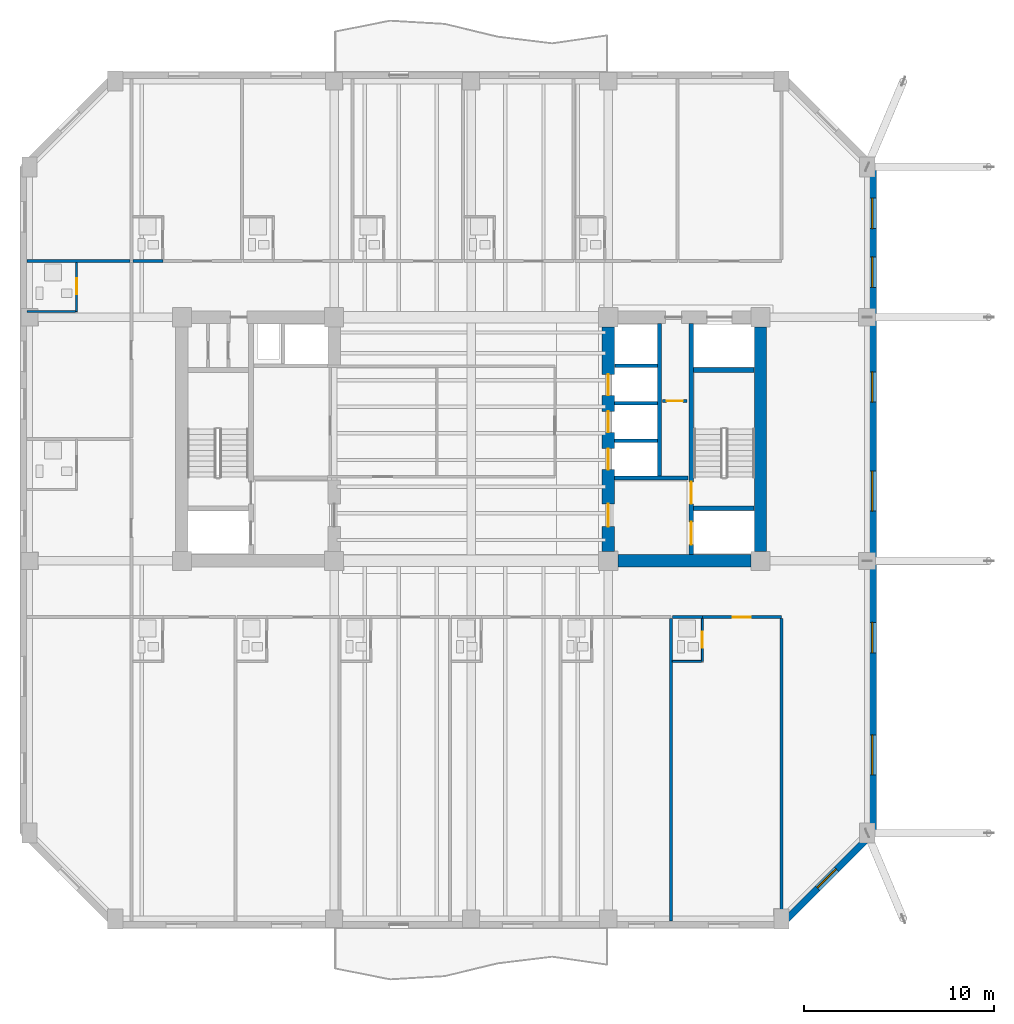
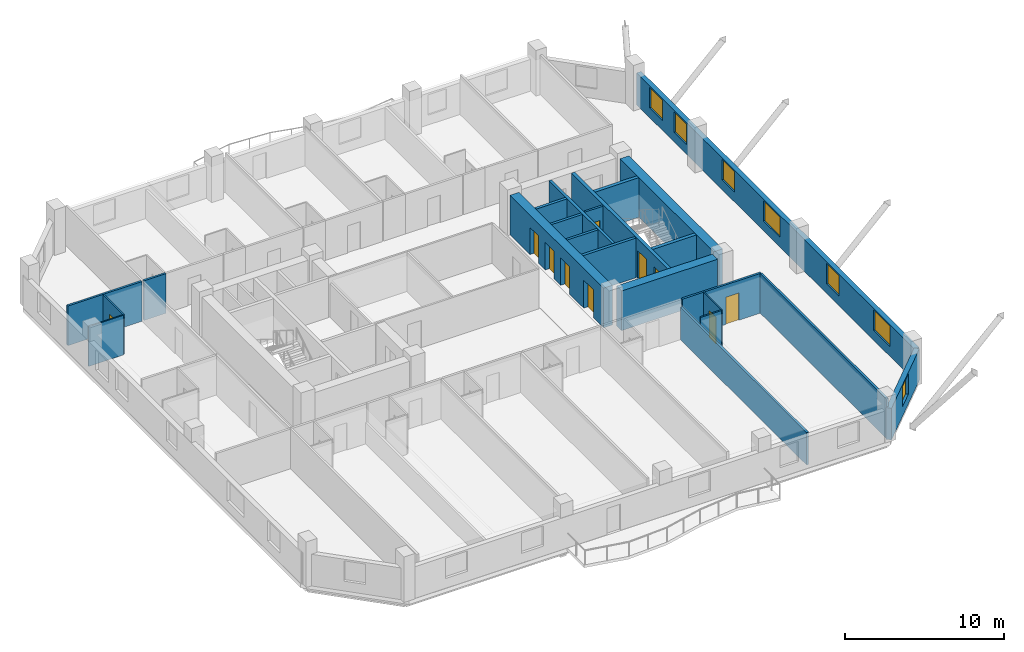
# One storey, part 7 of 14: 24 walls, 10 doors, 7 windows, 17 openings.
"""IFC4 building model written with IfcOpenShell, lengths in metres."""

from ifc_helpers import new_model, si_unit, direction, frame, frame_2d, origin, place, context, subcontext, project, spatial, rectangle, extrude, material, layer, layer_set, type_object, element, fill, save


model = new_model("IFC4")

# Units and contexts
model_context = context("Model", 3, precision=1e-05, world=origin(), true_north=direction((0.0, 1.0)))
body_context = subcontext(model_context, "Body", "Model", "MODEL_VIEW")
ifc_project = project(units=[si_unit("LENGTHUNIT", "METRE"), si_unit("AREAUNIT", "SQUARE_METRE"), si_unit("VOLUMEUNIT", "CUBIC_METRE"), si_unit("PLANEANGLEUNIT", "RADIAN"), si_unit("MASSUNIT", "GRAM", prefix="KILO")], contexts=[model_context])

# Site, building, storey
site_placement = place(None, origin())
site = spatial("IfcSite", under=ifc_project, at=site_placement, CompositionType="ELEMENT")
building_placement = place(site_placement, origin())
building = spatial("IfcBuilding", under=site, at=building_placement, Name="Kranthara Brick Stack", CompositionType="ELEMENT")
storey_placement = place(building_placement, frame((0.0, 0.0, 137.800048828125)))
storey = spatial("IfcBuildingStorey", under=building, at=storey_placement, Name="L34", CompositionType="ELEMENT", Elevation=137.800048828125)

# Wall, openings, windows
ifc_material_1 = material(Name="Kiln-fired clay brick masonry M15", Category="masonry")
ifc_layer_1 = layer(ifc_material_1, 0.35009765625)
ifc_layer_set_1 = layer_set([ifc_layer_1], Name="Kiln-fired clay brick masonry M15")
wall_type_1 = type_object("IfcWallType", Name="WL-BRK-SPND-350", PredefinedType="STANDARD", material=ifc_layer_set_1)
wall_1_placement = place(storey_placement, frame((49.10498046875, 41.5, 0.0), z_axis=(0.0, 0.0, 1.0), x_axis=(0.0, -1.0, 0.0)))
wall_1 = element("IfcWall", 1, at=wall_1_placement, inside=storey, type_object=wall_type_1, Name="L34 Exterior Brick Facade Wall EAST 1", PredefinedType="STANDARD", context=body_context, shape_type="SweptSolid", body=[
    extrude(rectangle(XDim=35.0, YDim=0.35009765625, at=frame_2d((17.5, 0.0))), origin(), (0.0, 0.0, 1.0), 2.43505859375),
])
opening_1_placement = place(wall_1_placement, frame((1.64501953125, 0.0, 0.75)))
opening_1 = element("IfcOpeningElement", 2, at=opening_1_placement, cuts=wall_1, Name="Opening WN04", PredefinedType="OPENING", context=body_context, shape_type="SweptSolid", body=[
    extrude(rectangle(XDim=1.60009765625, YDim=1.56494140625, at=frame_2d((0.800048828125, 0.782470703125))), frame((0.0, 0.18505859375, 0.0), z_axis=(0.0, -1.0, 0.0), x_axis=(1.0, 0.0, 0.0)), (0.0, 0.0, 1.0), 0.3701171875),
])
opening_2_placement = place(wall_1_placement, frame((4.72900390625, 0.0, 0.75)))
opening_2 = element("IfcOpeningElement", 3, at=opening_2_placement, cuts=wall_1, Name="Opening WN04", PredefinedType="OPENING", context=body_context, shape_type="SweptSolid", body=[
    extrude(rectangle(XDim=1.60009765625, YDim=1.56494140625, at=frame_2d((0.800048828125, 0.782470703125))), frame((0.0, 0.18505859375, 0.0), z_axis=(0.0, -1.0, 0.0), x_axis=(1.0, 0.0, 0.0)), (0.0, 0.0, 1.0), 0.3701171875),
])
opening_3_placement = place(wall_1_placement, frame((10.763916015625, 0.0, 0.75)))
opening_3 = element("IfcOpeningElement", 4, at=opening_3_placement, cuts=wall_1, Name="Opening WN04", PredefinedType="OPENING", context=body_context, shape_type="SweptSolid", body=[
    extrude(rectangle(XDim=1.60009765625, YDim=1.56494140625, at=frame_2d((0.800048828125, 0.782470703125))), frame((0.0, 0.18505859375, 0.0), z_axis=(0.0, -1.0, 0.0), x_axis=(1.0, 0.0, 0.0)), (0.0, 0.0, 1.0), 0.3701171875),
])
opening_4_placement = place(wall_1_placement, frame((15.986083984375, 0.0, 0.75)))
opening_4 = element("IfcOpeningElement", 5, at=opening_4_placement, cuts=wall_1, Name="Opening WN05", PredefinedType="OPENING", context=body_context, shape_type="SweptSolid", body=[
    extrude(rectangle(XDim=2.10009765625, YDim=1.56494140625, at=frame_2d((1.050048828125, 0.782470703125))), frame((0.0, 0.18505859375, 0.0), z_axis=(0.0, -1.0, 0.0), x_axis=(1.0, 0.0, 0.0)), (0.0, 0.0, 1.0), 0.3701171875),
])
opening_5_placement = place(wall_1_placement, frame((23.93408203125, 0.0, 0.75)))
opening_5 = element("IfcOpeningElement", 6, at=opening_5_placement, cuts=wall_1, Name="Opening WN04", PredefinedType="OPENING", context=body_context, shape_type="SweptSolid", body=[
    extrude(rectangle(XDim=1.60009765625, YDim=1.56494140625, at=frame_2d((0.800048828125, 0.782470703125))), frame((0.0, 0.18505859375, 0.0), z_axis=(0.0, -1.0, 0.0), x_axis=(1.0, 0.0, 0.0)), (0.0, 0.0, 1.0), 0.3701171875),
])
opening_6_placement = place(wall_1_placement, frame((29.841064453125, 0.0, 0.75)))
opening_6 = element("IfcOpeningElement", 7, at=opening_6_placement, cuts=wall_1, Name="Opening WN05", PredefinedType="OPENING", context=body_context, shape_type="SweptSolid", body=[
    extrude(rectangle(XDim=2.10009765625, YDim=1.56494140625, at=frame_2d((1.050048828125, 0.782470703125))), frame((0.0, 0.18505859375, 0.0), z_axis=(0.0, -1.0, 0.0), x_axis=(1.0, 0.0, 0.0)), (0.0, 0.0, 1.0), 0.3701171875),
])
ifc_material_2 = material(Name="Double-glazed low-E solar control glass", Category="glass")
window_type_1 = type_object("IfcWindowType", Name="WN-HTL-1600x1850", PartitioningType="DOUBLE_PANEL_VERTICAL", PredefinedType="WINDOW", material=ifc_material_2)
window_1_placement = place(opening_1_placement, origin())
window_1 = element("IfcWindow", 8, at=window_1_placement, inside=storey, type_object=window_type_1, Name="L34 East Deep-Set Brick Window 01", OverallHeight=1.56494140625, OverallWidth=1.60009765625, PartitioningType="SINGLE_PANEL", PredefinedType="WINDOW", context=body_context, shape_type="SweptSolid", body=[
    extrude(rectangle(XDim=1.60009765625, YDim=1.56494140625, at=frame_2d((0.800048828125, 0.782470703125))), frame((0.0, -0.010009765625, 0.0), z_axis=(0.0, -1.0, 0.0), x_axis=(1.0, 0.0, 0.0)), (0.0, 0.0, 1.0), 0.06005859375),
])
fill(opening_1, window_1)
window_2_placement = place(opening_2_placement, origin())
window_2 = element("IfcWindow", 9, at=window_2_placement, inside=storey, type_object=window_type_1, Name="L34 East Deep-Set Brick Window 02", OverallHeight=1.56494140625, OverallWidth=1.60009765625, PartitioningType="SINGLE_PANEL", PredefinedType="WINDOW", context=body_context, shape_type="SweptSolid", body=[
    extrude(rectangle(XDim=1.60009765625, YDim=1.56494140625, at=frame_2d((0.800048828125, 0.782470703125))), frame((0.0, -0.010009765625, 0.0), z_axis=(0.0, -1.0, 0.0), x_axis=(1.0, 0.0, 0.0)), (0.0, 0.0, 1.0), 0.06005859375),
])
fill(opening_2, window_2)
window_3_placement = place(opening_3_placement, origin())
window_3 = element("IfcWindow", 10, at=window_3_placement, inside=storey, type_object=window_type_1, Name="L34 East Deep-Set Brick Window 03", OverallHeight=1.56494140625, OverallWidth=1.60009765625, PartitioningType="SINGLE_PANEL", PredefinedType="WINDOW", context=body_context, shape_type="SweptSolid", body=[
    extrude(rectangle(XDim=1.60009765625, YDim=1.56494140625, at=frame_2d((0.800048828125, 0.782470703125))), frame((0.0, -0.010009765625, 0.0), z_axis=(0.0, -1.0, 0.0), x_axis=(1.0, 0.0, 0.0)), (0.0, 0.0, 1.0), 0.06005859375),
])
fill(opening_3, window_3)
window_4_placement = place(opening_5_placement, origin())
window_4 = element("IfcWindow", 11, at=window_4_placement, inside=storey, type_object=window_type_1, Name="L34 East Deep-Set Brick Window 05", OverallHeight=1.56494140625, OverallWidth=1.60009765625, PartitioningType="SINGLE_PANEL", PredefinedType="WINDOW", context=body_context, shape_type="SweptSolid", body=[
    extrude(rectangle(XDim=1.60009765625, YDim=1.56494140625, at=frame_2d((0.800048828125, 0.782470703125))), frame((0.0, -0.010009765625, 0.0), z_axis=(0.0, -1.0, 0.0), x_axis=(1.0, 0.0, 0.0)), (0.0, 0.0, 1.0), 0.06005859375),
])
fill(opening_5, window_4)
ifc_material_3 = material(Name="Double-glazed low-E solar control glass", Category="glass")
window_type_2 = type_object("IfcWindowType", Name="WN-HTL-2100x1850", PartitioningType="DOUBLE_PANEL_VERTICAL", PredefinedType="WINDOW", material=ifc_material_3)
window_5_placement = place(opening_4_placement, origin())
window_5 = element("IfcWindow", 12, at=window_5_placement, inside=storey, type_object=window_type_2, Name="L34 East Deep-Set Brick Window 04", OverallHeight=1.56494140625, OverallWidth=2.10009765625, PartitioningType="SINGLE_PANEL", PredefinedType="WINDOW", context=body_context, shape_type="SweptSolid", body=[
    extrude(rectangle(XDim=2.10009765625, YDim=1.56494140625, at=frame_2d((1.050048828125, 0.782470703125))), frame((0.0, -0.010009765625, 0.0), z_axis=(0.0, -1.0, 0.0), x_axis=(1.0, 0.0, 0.0)), (0.0, 0.0, 1.0), 0.06005859375),
])
fill(opening_4, window_5)
window_6_placement = place(opening_6_placement, origin())
window_6 = element("IfcWindow", 13, at=window_6_placement, inside=storey, type_object=window_type_2, Name="L34 East Deep-Set Brick Window 06", OverallHeight=1.56494140625, OverallWidth=2.10009765625, PartitioningType="SINGLE_PANEL", PredefinedType="WINDOW", context=body_context, shape_type="SweptSolid", body=[
    extrude(rectangle(XDim=2.10009765625, YDim=1.56494140625, at=frame_2d((1.050048828125, 0.782470703125))), frame((0.0, -0.010009765625, 0.0), z_axis=(0.0, -1.0, 0.0), x_axis=(1.0, 0.0, 0.0)), (0.0, 0.0, 1.0), 0.06005859375),
])
fill(opening_6, window_6)

# Wall, opening, window
wall_2_placement = place(storey_placement, frame((49.10498046875, 6.5, 0.0), z_axis=(0.0, 0.0, 1.0), x_axis=(-0.707106781187, -0.707106781187, 0.0)))
wall_2 = element("IfcWall", 14, at=wall_2_placement, inside=storey, type_object=wall_type_1, Name="L34 Exterior Brick Facade Wall SE 1", PredefinedType="STANDARD", context=body_context, shape_type="SweptSolid", body=[
    extrude(rectangle(XDim=6.795166015625, YDim=0.35009765625, at=frame_2d((3.3974609375, 0.0))), origin(), (0.0, 0.0, 1.0), 2.43505859375),
])
opening_7_placement = place(wall_2_placement, frame((2.697998046875, 0.0, 0.75)))
opening_7 = element("IfcOpeningElement", 15, at=opening_7_placement, cuts=wall_2, Name="Opening WN10", PredefinedType="OPENING", context=body_context, shape_type="SweptSolid", body=[
    extrude(rectangle(XDim=1.39990234375, YDim=1.56494140625, at=frame_2d((0.699951171875, 0.782470703125))), frame((0.0, 0.18505859375, 0.0), z_axis=(0.0, -1.0, 0.0), x_axis=(1.0, 0.0, 0.0)), (0.0, 0.0, 1.0), 0.3701171875),
])
ifc_material_4 = material(Name="Double-glazed low-E solar control glass", Category="glass")
window_type_3 = type_object("IfcWindowType", Name="WN-CHM-1400x1750", PartitioningType="SINGLE_PANEL", PredefinedType="WINDOW", material=ifc_material_4)
window_7_placement = place(opening_7_placement, origin())
window_7 = element("IfcWindow", 16, at=window_7_placement, inside=storey, type_object=window_type_3, Name="L34 SE Chamfer Corner Window", OverallHeight=1.56494140625, OverallWidth=1.39990234375, PartitioningType="SINGLE_PANEL", PredefinedType="WINDOW", context=body_context, shape_type="SweptSolid", body=[
    extrude(rectangle(XDim=1.39990234375, YDim=1.56494140625, at=frame_2d((0.699951171875, 0.782470703125))), frame((0.0, -0.010009765625, 0.0), z_axis=(0.0, -1.0, 0.0), x_axis=(1.0, 0.0, 0.0)), (0.0, 0.0, 1.0), 0.06005859375),
])
fill(opening_7, window_7)

# Wall, openings, doors
ifc_material_5 = material(Name="Concrete C50/60", Category="concrete")
ifc_layer_2 = layer(ifc_material_5, 0.25)
ifc_layer_set_2 = layer_set([ifc_layer_2], Name="Concrete C50/60")
wall_type_2 = type_object("IfcWallType", Name="WL-CORE-250", PredefinedType="SHEAR", material=ifc_layer_set_2)
wall_3_placement = place(storey_placement, frame((39.56494140625, 21.135009765625, 0.0), z_axis=(0.0, 0.0, 1.0), x_axis=(0.0, 1.0, 0.0)))
wall_3 = element("IfcWall", 17, at=wall_3_placement, inside=storey, type_object=wall_type_2, Name="L34 East Core Stair Bearing Spine Wall", PredefinedType="SHEAR", context=body_context, shape_type="SweptSolid", body=[
    extrude(rectangle(XDim=12.1298828125, YDim=0.25, at=frame_2d((6.06494140625, 0.0))), origin(), (0.0, 0.0, 1.0), 3.050048828125),
])
opening_8_placement = place(wall_3_placement, frame((0.514892578125, 0.0, 0.0)))
opening_8 = element("IfcOpeningElement", 18, at=opening_8_placement, cuts=wall_3, Name="Opening LD01", PredefinedType="OPENING", context=body_context, shape_type="SweptSolid", body=[
    extrude(rectangle(XDim=1.199951171875, YDim=2.14990234375, at=frame_2d((0.60009765625, 1.074951171875))), frame((0.0, 0.135009765625, 0.0), z_axis=(0.0, -1.0, 0.0), x_axis=(1.0, 0.0, 0.0)), (0.0, 0.0, 1.0), 0.27001953125),
])
opening_9_placement = place(wall_3_placement, frame((2.6650390625, 0.0, 0.0)))
opening_9 = element("IfcOpeningElement", 19, at=opening_9_placement, cuts=wall_3, Name="Opening D05", PredefinedType="OPENING", context=body_context, shape_type="SweptSolid", body=[
    extrude(rectangle(XDim=1.14990234375, YDim=2.14990234375, at=frame_2d((0.574951171875, 1.074951171875))), frame((0.0, 0.135009765625, 0.0), z_axis=(0.0, -1.0, 0.0), x_axis=(1.0, 0.0, 0.0)), (0.0, 0.0, 1.0), 0.27001953125),
])
ifc_material_6 = material(Name="Stainless steel sliding landing door", Category="steel")
door_type_1 = type_object("IfcDoorType", Name="DR-LD-FF1200", OperationType="DOUBLE_DOOR_SLIDING", PredefinedType="DOOR", material=ifc_material_6)
door_1_placement = place(opening_8_placement, origin())
door_1 = element("IfcDoor", 20, at=door_1_placement, inside=storey, type_object=door_type_1, Name="L34 Firefighting Lift FF-02 Landing Door", OperationType="DOUBLE_DOOR_SLIDING", OverallHeight=2.14990234375, OverallWidth=1.199951171875, PredefinedType="DOOR", context=body_context, shape_type="SweptSolid", body=[
    extrude(rectangle(XDim=1.199951171875, YDim=2.14990234375, at=frame_2d((0.60009765625, 1.074951171875))), frame((0.0, 0.02490234375, 0.0), z_axis=(0.0, -1.0, 0.0), x_axis=(1.0, 0.0, 0.0)), (0.0, 0.0, 1.0), 0.050048828125),
])
fill(opening_8, door_1)
ifc_material_7 = material(Name="Solid-core hardwood timber leaf in steel frame", Category="steel")
door_type_2 = type_object("IfcDoorType", Name="DR-ST-1150", OperationType="NOTDEFINED", PredefinedType="DOOR", material=ifc_material_7)
door_2_placement = place(opening_9_placement, origin())
door_2 = element("IfcDoor", 21, at=door_2_placement, inside=storey, type_object=door_type_2, Name="L34 Exit Stair ST02 Door", OperationType="SINGLE_SWING_LEFT", OverallHeight=2.14990234375, OverallWidth=1.14990234375, PredefinedType="DOOR", context=body_context, shape_type="SweptSolid", body=[
    extrude(rectangle(XDim=1.14990234375, YDim=2.14990234375, at=frame_2d((0.574951171875, 1.074951171875))), frame((0.0, 0.02490234375, 0.0), z_axis=(0.0, -1.0, 0.0), x_axis=(1.0, 0.0, 0.0)), (0.0, 0.0, 1.0), 0.050048828125),
])
fill(opening_9, door_2)

# Walls
for number, where, z_axis, x_axis, name in (
    (22, (39.68994140625, 23.570068359375, 0.0), (0.0, 0.0, 1.0), (1.0, 0.0, 0.0), "L34 East Stairwell Bearing Wall EFF"),
    (23, (39.68994140625, 30.830078125, 0.0), (0.0, 0.0, 1.0), (1.0, 0.0, 0.0), "L34 East Stairwell Bearing Wall EST"),
):
    element("IfcWall", number, at=place(storey_placement, frame(where, z_axis=z_axis, x_axis=x_axis)), inside=storey, type_object=wall_type_2, Name=name, PredefinedType="SHEAR", context=body_context, shape_type="SweptSolid", body=[
        extrude(rectangle(XDim=3.175048828125, YDim=0.25, at=frame_2d((1.58740234375, 0.0))), origin(), (0.0, 0.0, 1.0), 3.050048828125),
    ])
ifc_material_8 = material(Name="Concrete C60/75", Category="concrete")
ifc_layer_3 = layer(ifc_material_8, 0.64990234375)
ifc_layer_set_3 = layer_set([ifc_layer_3], Name="Concrete C60/75")
wall_type_3 = type_object("IfcWallType", Name="WL-CORE-650", PredefinedType="SHEAR", material=ifc_layer_set_3)
wall_4_placement = place(storey_placement, frame((43.199951171875, 21.304931640625, 0.0), z_axis=(0.0, 0.0, 1.0), x_axis=(0.0, 1.0, 0.0)))
element("IfcWall", 24, at=wall_4_placement, inside=storey, type_object=wall_type_3, Name="L34 East Core Shear Wall East", PredefinedType="SHEAR", context=body_context, shape_type="SweptSolid", body=[
    extrude(rectangle(XDim=11.7900390625, YDim=0.64990234375, at=frame_2d((5.89501953125, 0.0))), origin(), (0.0, 0.0, 1.0), 3.050048828125),
])
wall_5_placement = place(storey_placement, frame((35.705078125, 20.800048828125, 0.0), z_axis=(0.0, 0.0, 1.0), x_axis=(1.0, 0.0, 0.0)))
element("IfcWall", 25, at=wall_5_placement, inside=storey, type_object=wall_type_3, Name="L34 East Core Shear Wall South", PredefinedType="SHEAR", context=body_context, shape_type="SweptSolid", body=[
    extrude(rectangle(XDim=6.989990234375, YDim=0.64990234375, at=frame_2d((3.4951171875, 0.0))), origin(), (0.0, 0.0, 1.0), 3.050048828125),
])

# Wall, openings, doors
wall_6_placement = place(storey_placement, frame((35.199951171875, 21.304931640625, 0.0), z_axis=(0.0, 0.0, 1.0), x_axis=(0.0, 1.0, 0.0)))
wall_6 = element("IfcWall", 26, at=wall_6_placement, inside=storey, type_object=wall_type_3, Name="L34 East Core Shear Wall West", PredefinedType="SHEAR", context=body_context, shape_type="SweptSolid", body=[
    extrude(rectangle(XDim=11.7900390625, YDim=0.64990234375, at=frame_2d((5.89501953125, 0.0))), origin(), (0.0, 0.0, 1.0), 3.050048828125),
])
opening_10_placement = place(wall_6_placement, frame((1.294921875, 0.0, 0.0)))
opening_10 = element("IfcOpeningElement", 27, at=opening_10_placement, cuts=wall_6, Name="Opening D06", PredefinedType="OPENING", context=body_context, shape_type="SweptSolid", body=[
    extrude(rectangle(XDim=1.199951171875, YDim=2.14990234375, at=frame_2d((0.60009765625, 1.074951171875))), frame((0.0, 0.3349609375, 0.0), z_axis=(0.0, -1.0, 0.0), x_axis=(1.0, 0.0, 0.0)), (0.0, 0.0, 1.0), 0.669921875),
])
opening_11_placement = place(wall_6_placement, frame((4.294921875, 0.0, 0.0)))
opening_11 = element("IfcOpeningElement", 28, at=opening_11_placement, cuts=wall_6, Name="Opening LD02", PredefinedType="OPENING", context=body_context, shape_type="SweptSolid", body=[
    extrude(rectangle(XDim=1.10009765625, YDim=2.10009765625, at=frame_2d((0.550048828125, 1.050048828125))), frame((0.0, 0.3349609375, 0.0), z_axis=(0.0, -1.0, 0.0), x_axis=(1.0, 0.0, 0.0)), (0.0, 0.0, 1.0), 0.669921875),
])
opening_12_placement = place(wall_6_placement, frame((6.2451171875, 0.0, 0.0)))
opening_12 = element("IfcOpeningElement", 29, at=opening_12_placement, cuts=wall_6, Name="Opening LD02", PredefinedType="OPENING", context=body_context, shape_type="SweptSolid", body=[
    extrude(rectangle(XDim=1.10009765625, YDim=2.10009765625, at=frame_2d((0.550048828125, 1.050048828125))), frame((0.0, 0.3349609375, 0.0), z_axis=(0.0, -1.0, 0.0), x_axis=(1.0, 0.0, 0.0)), (0.0, 0.0, 1.0), 0.669921875),
])
opening_13_placement = place(wall_6_placement, frame((8.195068359375, 0.0, 0.0)))
opening_13 = element("IfcOpeningElement", 30, at=opening_13_placement, cuts=wall_6, Name="Opening LD02", PredefinedType="OPENING", context=body_context, shape_type="SweptSolid", body=[
    extrude(rectangle(XDim=1.10009765625, YDim=2.10009765625, at=frame_2d((0.550048828125, 1.050048828125))), frame((0.0, 0.3349609375, 0.0), z_axis=(0.0, -1.0, 0.0), x_axis=(1.0, 0.0, 0.0)), (0.0, 0.0, 1.0), 0.669921875),
])
ifc_material_9 = material(Name="Solid-core hardwood timber leaf in steel frame", Category="steel")
door_type_3 = type_object("IfcDoorType", Name="DR-FFL-1200", OperationType="NOTDEFINED", PredefinedType="DOOR", material=ifc_material_9)
door_3_placement = place(opening_10_placement, origin())
door_3 = element("IfcDoor", 31, at=door_3_placement, inside=storey, type_object=door_type_3, Name="L34 East Firefighting Lobby Door", OperationType="SINGLE_SWING_RIGHT", OverallHeight=2.14990234375, OverallWidth=1.199951171875, PredefinedType="DOOR", context=body_context, shape_type="SweptSolid", body=[
    extrude(rectangle(XDim=1.199951171875, YDim=2.14990234375, at=frame_2d((0.60009765625, 1.074951171875))), frame((0.0, 0.02490234375, 0.0), z_axis=(0.0, -1.0, 0.0), x_axis=(1.0, 0.0, 0.0)), (0.0, 0.0, 1.0), 0.050048828125),
])
fill(opening_10, door_3)
ifc_material_10 = material(Name="Stainless steel sliding landing door", Category="steel")
door_type_4 = type_object("IfcDoorType", Name="DR-LD-PL1100", OperationType="DOUBLE_DOOR_SLIDING", PredefinedType="DOOR", material=ifc_material_10)
door_4_placement = place(opening_11_placement, origin())
door_4 = element("IfcDoor", 32, at=door_4_placement, inside=storey, type_object=door_type_4, Name="L34 PL-04 Lift Landing Door", OperationType="DOUBLE_DOOR_SLIDING", OverallHeight=2.10009765625, OverallWidth=1.10009765625, PredefinedType="DOOR", context=body_context, shape_type="SweptSolid", body=[
    extrude(rectangle(XDim=1.10009765625, YDim=2.10009765625, at=frame_2d((0.550048828125, 1.050048828125))), frame((0.0, 0.02490234375, 0.0), z_axis=(0.0, -1.0, 0.0), x_axis=(1.0, 0.0, 0.0)), (0.0, 0.0, 1.0), 0.050048828125),
])
fill(opening_11, door_4)
door_5_placement = place(opening_12_placement, origin())
door_5 = element("IfcDoor", 33, at=door_5_placement, inside=storey, type_object=door_type_4, Name="L34 PL-05 Lift Landing Door", OperationType="DOUBLE_DOOR_SLIDING", OverallHeight=2.10009765625, OverallWidth=1.10009765625, PredefinedType="DOOR", context=body_context, shape_type="SweptSolid", body=[
    extrude(rectangle(XDim=1.10009765625, YDim=2.10009765625, at=frame_2d((0.550048828125, 1.050048828125))), frame((0.0, 0.02490234375, 0.0), z_axis=(0.0, -1.0, 0.0), x_axis=(1.0, 0.0, 0.0)), (0.0, 0.0, 1.0), 0.050048828125),
])
fill(opening_12, door_5)
door_6_placement = place(opening_13_placement, origin())
door_6 = element("IfcDoor", 34, at=door_6_placement, inside=storey, type_object=door_type_4, Name="L34 PL-06 Lift Landing Door", OperationType="DOUBLE_DOOR_SLIDING", OverallHeight=2.10009765625, OverallWidth=1.10009765625, PredefinedType="DOOR", context=body_context, shape_type="SweptSolid", body=[
    extrude(rectangle(XDim=1.10009765625, YDim=2.10009765625, at=frame_2d((0.550048828125, 1.050048828125))), frame((0.0, 0.02490234375, 0.0), z_axis=(0.0, -1.0, 0.0), x_axis=(1.0, 0.0, 0.0)), (0.0, 0.0, 1.0), 0.050048828125),
])
fill(opening_13, door_6)

# Wall, opening, door
ifc_material_11 = material(Name="Moisture-resistant wet-room partition", Category="other")
ifc_layer_4 = layer(ifc_material_11, 0.10009765625)
ifc_layer_set_4 = layer_set([ifc_layer_4], Name="Moisture-resistant wet-room partition")
wall_type_4 = type_object("IfcWallType", Name="WL-PART-100", PredefinedType="PARTITIONING", material=ifc_layer_set_4)
wall_7_placement = place(storey_placement, frame((40.14404296875, 15.52001953125, 0.0), z_axis=(0.0, 0.0, 1.0), x_axis=(0.0, 1.0, 0.0)))
wall_7 = element("IfcWall", 35, at=wall_7_placement, inside=storey, type_object=wall_type_4, Name="L34 Interior Partition 037", PredefinedType="PARTITIONING", context=body_context, shape_type="SweptSolid", body=[
    extrude(rectangle(XDim=2.25, YDim=0.10009765625, at=frame_2d((1.125, 0.0))), origin(), (0.0, 0.0, 1.0), 3.050048828125),
])
opening_14_placement = place(wall_7_placement, frame((0.719970703125, 0.0, 0.0)))
opening_14 = element("IfcOpeningElement", 36, at=opening_14_placement, cuts=wall_7, Name="Opening D17", PredefinedType="OPENING", context=body_context, shape_type="SweptSolid", body=[
    extrude(rectangle(XDim=0.85009765625, YDim=2.050048828125, at=frame_2d((0.425048828125, 1.02490234375))), frame((0.0, 0.06005859375, 0.0), z_axis=(0.0, -1.0, 0.0), x_axis=(1.0, 0.0, 0.0)), (0.0, 0.0, 1.0), 0.1201171875),
])
ifc_material_12 = material(Name="Solid-core hardwood timber leaf in steel frame", Category="steel")
door_type_5 = type_object("IfcDoorType", Name="DR-WET-850", OperationType="NOTDEFINED", PredefinedType="DOOR", material=ifc_material_12)
door_7_placement = place(opening_14_placement, origin())
door_7 = element("IfcDoor", 37, at=door_7_placement, inside=storey, type_object=door_type_5, Name="L34 Key 06 En-Suite Door 17", OperationType="SINGLE_SWING_LEFT", OverallHeight=2.050048828125, OverallWidth=0.85009765625, PredefinedType="DOOR", context=body_context, shape_type="SweptSolid", body=[
    extrude(rectangle(XDim=0.85009765625, YDim=2.050048828125, at=frame_2d((0.425048828125, 1.02490234375))), frame((0.0, 0.02490234375, 0.0), z_axis=(0.0, -1.0, 0.0), x_axis=(1.0, 0.0, 0.0)), (0.0, 0.0, 1.0), 0.050048828125),
])
fill(opening_14, door_7)

# Wall
wall_8_placement = place(storey_placement, frame((38.573974609375, 15.52001953125, 0.0), z_axis=(0.0, 0.0, 1.0), x_axis=(1.0, 0.0, 0.0)))
element("IfcWall", 38, at=wall_8_placement, inside=storey, type_object=wall_type_4, Name="L34 Interior Partition 038", PredefinedType="PARTITIONING", context=body_context, shape_type="SweptSolid", body=[
    extrude(rectangle(XDim=1.51513671875, YDim=0.10009765625, at=frame_2d((0.757568359375, 0.0))), origin(), (0.0, 0.0, 1.0), 3.050048828125),
])

# Wall, opening, door
wall_9_placement = place(storey_placement, frame((7.27001953125, 33.89990234375, 0.0), z_axis=(0.0, 0.0, 1.0), x_axis=(0.0, 1.0, 0.0)))
wall_9 = element("IfcWall", 39, at=wall_9_placement, inside=storey, type_object=wall_type_4, Name="L34 Interior Partition 075", PredefinedType="PARTITIONING", context=body_context, shape_type="SweptSolid", body=[
    extrude(rectangle(XDim=2.570068359375, YDim=0.10009765625, at=frame_2d((1.28515625, 0.0))), origin(), (0.0, 0.0, 1.0), 3.050048828125),
])
opening_15_placement = place(wall_9_placement, frame((0.905029296875, 0.0, 0.0)))
opening_15 = element("IfcOpeningElement", 40, at=opening_15_placement, cuts=wall_9, Name="Opening D17", PredefinedType="OPENING", context=body_context, shape_type="SweptSolid", body=[
    extrude(rectangle(XDim=0.85009765625, YDim=2.050048828125, at=frame_2d((0.425048828125, 1.02490234375))), frame((0.0, 0.06005859375, 0.0), z_axis=(0.0, -1.0, 0.0), x_axis=(1.0, 0.0, 0.0)), (0.0, 0.0, 1.0), 0.1201171875),
])
door_8_placement = place(opening_15_placement, origin())
door_8 = element("IfcDoor", 41, at=door_8_placement, inside=storey, type_object=door_type_5, Name="L34 West Key 14 Bath 32", OperationType="SINGLE_SWING_RIGHT", OverallHeight=2.050048828125, OverallWidth=0.85009765625, PredefinedType="DOOR", context=body_context, shape_type="SweptSolid", body=[
    extrude(rectangle(XDim=0.85009765625, YDim=2.050048828125, at=frame_2d((0.425048828125, 1.02490234375))), frame((0.0, 0.02490234375, 0.0), z_axis=(0.0, -1.0, 0.0), x_axis=(1.0, 0.0, 0.0)), (0.0, 0.0, 1.0), 0.050048828125),
])
fill(opening_15, door_8)

# Wall
wall_10_placement = place(storey_placement, frame((4.675048828125, 33.89990234375, 0.0), z_axis=(0.0, 0.0, 1.0), x_axis=(1.0, 0.0, 0.0)))
element("IfcWall", 42, at=wall_10_placement, inside=storey, type_object=wall_type_4, Name="L34 Interior Partition 076", PredefinedType="PARTITIONING", context=body_context, shape_type="SweptSolid", body=[
    extrude(rectangle(XDim=2.5400390625, YDim=0.10009765625, at=frame_2d((1.27001953125, 0.0))), origin(), (0.0, 0.0, 1.0), 3.050048828125),
])

# Wall, opening, door
ifc_material_13 = material(Name="Fire-rated gypsum board partition", Category="other")
ifc_layer_5 = layer(ifc_material_13, 0.14990234375)
ifc_layer_set_5 = layer_set([ifc_layer_5], Name="Fire-rated gypsum board partition")
wall_type_5 = type_object("IfcWallType", Name="WL-PART-150", PredefinedType="PARTITIONING", material=ifc_layer_set_5)
wall_11_placement = place(storey_placement, frame((38.050048828125, 29.199951171875, 0.0), z_axis=(0.0, 0.0, 1.0), x_axis=(1.0, 0.0, 0.0)))
wall_11 = element("IfcWall", 43, at=wall_11_placement, inside=storey, type_object=wall_type_5, Name="L34 Interior Partition 003", PredefinedType="PARTITIONING", context=body_context, shape_type="SweptSolid", body=[
    extrude(rectangle(XDim=1.300048828125, YDim=0.14990234375, at=frame_2d((0.64990234375, 0.0))), origin(), (0.0, 0.0, 1.0), 3.050048828125),
])
opening_16_placement = place(wall_11_placement, frame((0.219970703125, 0.0, 0.0)))
opening_16 = element("IfcOpeningElement", 44, at=opening_16_placement, cuts=wall_11, Name="Opening D10", PredefinedType="OPENING", context=body_context, shape_type="SweptSolid", body=[
    extrude(rectangle(XDim=0.85009765625, YDim=2.02001953125, at=frame_2d((0.425048828125, 1.010009765625))), frame((0.0, 0.0849609375, 0.0), z_axis=(0.0, -1.0, 0.0), x_axis=(1.0, 0.0, 0.0)), (0.0, 0.0, 1.0), 0.169921875),
])
ifc_material_14 = material(Name="Solid-core hardwood timber leaf in steel frame", Category="steel")
door_type_6 = type_object("IfcDoorType", Name="DR-RSR-850", OperationType="NOTDEFINED", PredefinedType="DOOR", material=ifc_material_14)
door_9_placement = place(opening_16_placement, origin())
door_9 = element("IfcDoor", 45, at=door_9_placement, inside=storey, type_object=door_type_6, Name="L34 East Service Door 03", OperationType="SINGLE_SWING_LEFT", OverallHeight=2.02001953125, OverallWidth=0.85009765625, PredefinedType="DOOR", context=body_context, shape_type="SweptSolid", body=[
    extrude(rectangle(XDim=0.85009765625, YDim=2.02001953125, at=frame_2d((0.425048828125, 1.010009765625))), frame((0.0, 0.02490234375, 0.0), z_axis=(0.0, -1.0, 0.0), x_axis=(1.0, 0.0, 0.0)), (0.0, 0.0, 1.0), 0.050048828125),
])
fill(opening_16, door_9)

# Walls
wall_12_placement = place(storey_placement, frame((38.493896484375, 1.875, 0.0), z_axis=(0.0, 0.0, 1.0), x_axis=(0.0, 1.0, 0.0)))
element("IfcWall", 46, at=wall_12_placement, inside=storey, type_object=wall_type_5, Name="L34 Interior Partition 034", PredefinedType="PARTITIONING", context=body_context, shape_type="SweptSolid", body=[
    extrude(rectangle(XDim=15.89501953125, YDim=0.14990234375, at=frame_2d((7.947509765625, 0.0))), origin(), (0.0, 0.0, 1.0), 2.48486328125),
])
wall_13_placement = place(storey_placement, frame((38.573974609375, 17.85009765625, 0.0), z_axis=(0.0, 0.0, 1.0), x_axis=(1.0, 0.0, 0.0)))
element("IfcWall", 47, at=wall_13_placement, inside=storey, type_object=wall_type_5, Name="L34 Interior Partition 035", PredefinedType="PARTITIONING", context=body_context, shape_type="SweptSolid", body=[
    extrude(rectangle(XDim=1.570068359375, YDim=0.14990234375, at=frame_2d((0.78515625, 0.0))), origin(), (0.0, 0.0, 1.0), 3.050048828125),
])

# Wall, opening, door
wall_14_placement = place(storey_placement, frame((40.14404296875, 17.85009765625, 0.0), z_axis=(0.0, 0.0, 1.0), x_axis=(1.0, 0.0, 0.0)))
wall_14 = element("IfcWall", 48, at=wall_14_placement, inside=storey, type_object=wall_type_5, Name="L34 Interior Partition 036", PredefinedType="PARTITIONING", context=body_context, shape_type="SweptSolid", body=[
    extrude(rectangle(XDim=4.156005859375, YDim=0.14990234375, at=frame_2d((2.078125, 0.0))), origin(), (0.0, 0.0, 1.0), 3.050048828125),
])
opening_17_placement = place(wall_14_placement, frame((1.597900390625, 0.0, 0.0)))
opening_17 = element("IfcOpeningElement", 49, at=opening_17_placement, cuts=wall_14, Name="Opening D09", PredefinedType="OPENING", context=body_context, shape_type="SweptSolid", body=[
    extrude(rectangle(XDim=0.949951171875, YDim=2.10009765625, at=frame_2d((0.47509765625, 1.050048828125))), frame((0.0, 0.0849609375, 0.0), z_axis=(0.0, -1.0, 0.0), x_axis=(1.0, 0.0, 0.0)), (0.0, 0.0, 1.0), 0.169921875),
])
ifc_material_15 = material(Name="Solid-core hardwood timber leaf in steel frame", Category="steel")
door_type_7 = type_object("IfcDoorType", Name="DR-FD-950", OperationType="NOTDEFINED", PredefinedType="DOOR", material=ifc_material_15)
door_10_placement = place(opening_17_placement, origin())
door_10 = element("IfcDoor", 50, at=door_10_placement, inside=storey, type_object=door_type_7, Name="L34 Key 06 Entry 18", OperationType="SINGLE_SWING_RIGHT", OverallHeight=2.10009765625, OverallWidth=0.949951171875, PredefinedType="DOOR", context=body_context, shape_type="SweptSolid", body=[
    extrude(rectangle(XDim=0.949951171875, YDim=2.10009765625, at=frame_2d((0.47509765625, 1.050048828125))), frame((0.0, 0.02490234375, 0.0), z_axis=(0.0, -1.0, 0.0), x_axis=(1.0, 0.0, 0.0)), (0.0, 0.0, 1.0), 0.050048828125),
])
fill(opening_17, door_10)

# Walls
wall_15_placement = place(storey_placement, frame((44.300048828125, 1.875, 0.0), z_axis=(0.0, 0.0, 1.0), x_axis=(0.0, 1.0, 0.0)))
element("IfcWall", 51, at=wall_15_placement, inside=storey, type_object=wall_type_5, Name="L34 Interior Partition 039", PredefinedType="PARTITIONING", context=body_context, shape_type="SweptSolid", body=[
    extrude(rectangle(XDim=15.89501953125, YDim=0.14990234375, at=frame_2d((7.947509765625, 0.0))), origin(), (0.0, 0.0, 1.0), 3.050048828125),
])
wall_16_placement = place(storey_placement, frame((10.22998046875, 36.550048828125, 0.0), z_axis=(0.0, 0.0, 1.0), x_axis=(1.0, 0.0, 0.0)))
element("IfcWall", 52, at=wall_16_placement, inside=storey, type_object=wall_type_5, Name="L34 Interior Partition 041", PredefinedType="PARTITIONING", context=body_context, shape_type="SweptSolid", body=[
    extrude(rectangle(XDim=1.570068359375, YDim=0.14990234375, at=frame_2d((0.78515625, 0.0))), origin(), (0.0, 0.0, 1.0), 3.050048828125),
])
wall_17_placement = place(storey_placement, frame((4.675048828125, 36.550048828125, 0.0), z_axis=(0.0, 0.0, 1.0), x_axis=(1.0, 0.0, 0.0)))
element("IfcWall", 53, at=wall_17_placement, inside=storey, type_object=wall_type_5, Name="L34 Interior Partition 069", PredefinedType="PARTITIONING", context=body_context, shape_type="SweptSolid", body=[
    extrude(rectangle(XDim=5.39501953125, YDim=0.14990234375, at=frame_2d((2.697509765625, 0.0))), origin(), (0.0, 0.0, 1.0), 3.050048828125),
])
ifc_material_16 = material(Name="Gypsum plasterboard on acoustic twin stud", Category="other")
ifc_layer_6 = layer(ifc_material_16, 0.179931640625)
ifc_layer_set_6 = layer_set([ifc_layer_6], Name="Gypsum plasterboard on acoustic twin stud")
wall_type_6 = type_object("IfcWallType", Name="WL-PART-180", PredefinedType="PARTITIONING", material=ifc_layer_set_6)
for number, where, z_axis, x_axis, name in (
    (54, (35.534912109375, 27.1201171875, 0.0), (0.0, 0.0, 1.0), (1.0, 0.0, 0.0), "L34 East Hoistway Wall EH1"),
    (55, (35.534912109375, 29.080078125, 0.0), (0.0, 0.0, 1.0), (1.0, 0.0, 0.0), "L34 East Hoistway Wall EH2"),
):
    element("IfcWall", number, at=place(storey_placement, frame(where, z_axis=z_axis, x_axis=x_axis)), inside=storey, type_object=wall_type_6, Name=name, PredefinedType="PARTITIONING", context=body_context, shape_type="SweptSolid", body=[
        extrude(rectangle(XDim=2.2451171875, YDim=0.179931640625, at=frame_2d((1.12255859375, 0.0))), origin(), (0.0, 0.0, 1.0), 3.050048828125),
    ])
ifc_material_17 = material(Name="Concrete C40/50", Category="concrete")
ifc_layer_7 = layer(ifc_material_17, 0.199951171875)
ifc_layer_set_7 = layer_set([ifc_layer_7], Name="Concrete C40/50")
wall_type_7 = type_object("IfcWallType", Name="WL-PART-200", PredefinedType="SOLIDWALL", material=ifc_layer_set_7)
wall_18_placement = place(storey_placement, frame((35.534912109375, 25.14990234375, 0.0), z_axis=(0.0, 0.0, 1.0), x_axis=(1.0, 0.0, 0.0)))
element("IfcWall", 56, at=wall_18_placement, inside=storey, type_object=wall_type_7, Name="L34 East Core Cross Wall EFL", PredefinedType="SOLIDWALL", context=body_context, shape_type="SweptSolid", body=[
    extrude(rectangle(XDim=3.864990234375, YDim=0.199951171875, at=frame_2d((1.9326171875, 0.0))), origin(), (0.0, 0.0, 1.0), 3.050048828125),
])
wall_19_placement = place(storey_placement, frame((35.550048828125, 31.050048828125, 0.0), z_axis=(0.0, 0.0, 1.0), x_axis=(1.0, 0.0, 0.0)))
element("IfcWall", 57, at=wall_19_placement, inside=storey, type_object=wall_type_7, Name="L34 East Core Cross Wall EE4", PredefinedType="SOLIDWALL", context=body_context, shape_type="SweptSolid", body=[
    extrude(rectangle(XDim=2.25, YDim=0.199951171875, at=frame_2d((1.125, 0.0))), origin(), (0.0, 0.0, 1.0), 3.050048828125),
])
wall_20_placement = place(storey_placement, frame((37.89990234375, 25.27001953125, 0.0), z_axis=(0.0, 0.0, 1.0), x_axis=(0.0, 1.0, 0.0)))
element("IfcWall", 58, at=wall_20_placement, inside=storey, type_object=wall_type_7, Name="L34 East Core Cross Wall ESV", PredefinedType="SOLIDWALL", context=body_context, shape_type="SweptSolid", body=[
    extrude(rectangle(XDim=7.994873046875, YDim=0.199951171875, at=frame_2d((3.99755859375, 0.0))), origin(), (0.0, 0.0, 1.0), 3.050048828125),
])

save(model, "model.ifc")
